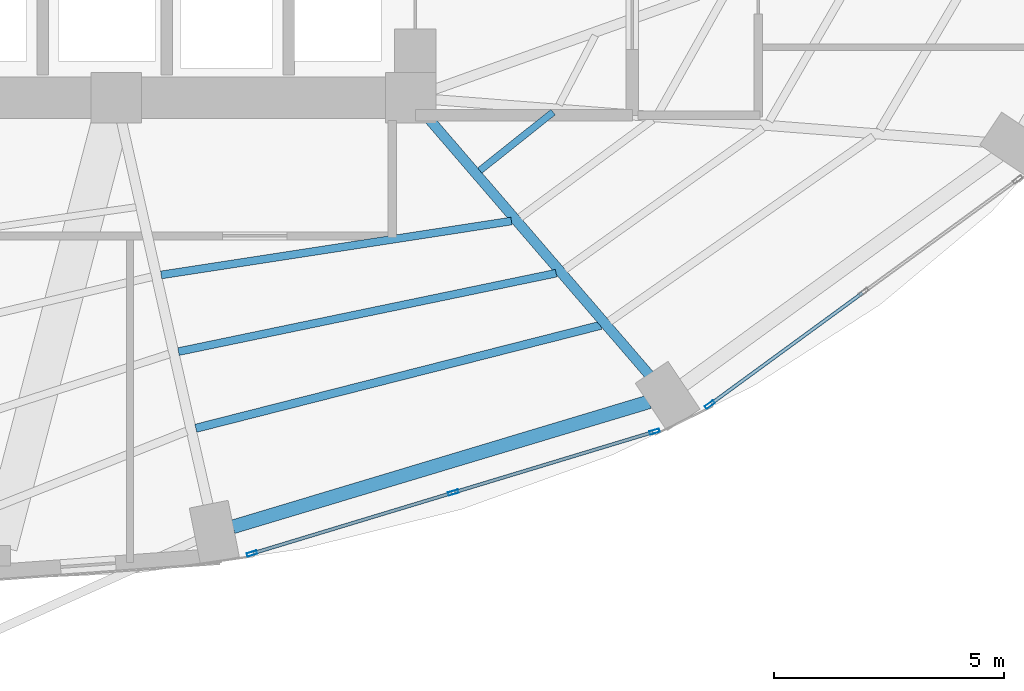
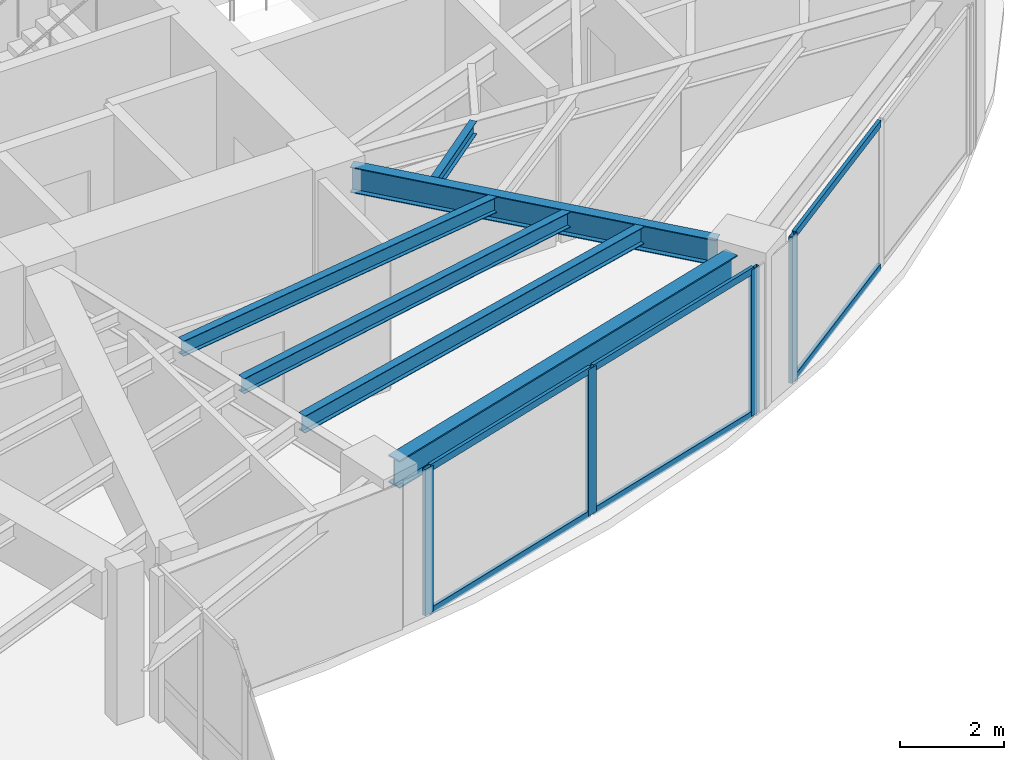
# One storey, part 10 of 25: 10 members, 6 beams, 2 elements without a shape of their own.
"""IFC4 building model written with IfcOpenShell, lengths in metres."""

from ifc_helpers import new_model, si_unit, direction, frame, origin, origin_2d, place, context, subcontext, project, spatial, hollow_rectangle, i_section, extrude, material, layer, layer_set, material_profile, profile_set, type_object, element, aggregate, save


model = new_model("IFC4")

# Units and contexts
model_context = context("Model", 3, precision=1e-05, world=origin(), true_north=direction((0.0, 1.0)))
body_context = subcontext(model_context, "Body", "Model", "MODEL_VIEW")
ifc_project = project(units=[si_unit("LENGTHUNIT", "METRE"), si_unit("AREAUNIT", "SQUARE_METRE"), si_unit("VOLUMEUNIT", "CUBIC_METRE"), si_unit("PLANEANGLEUNIT", "RADIAN"), si_unit("MASSUNIT", "GRAM", prefix="KILO")], contexts=[model_context])

# Site, building, storey
site_placement = place(None, origin())
site = spatial("IfcSite", under=ifc_project, at=site_placement, CompositionType="ELEMENT")
building_placement = place(site_placement, origin())
building = spatial("IfcBuilding", under=site, at=building_placement, Name="Lazwardi Medical Tower", CompositionType="ELEMENT")
storey_placement = place(building_placement, frame((0.0, 0.0, 47.087890625)))
storey = spatial("IfcBuildingStorey", under=building, at=storey_placement, Name="L11", CompositionType="ELEMENT", Elevation=47.087890625)

# Beams
ifc_material_1 = material(Name="Steel S355", Category="steel")
ifc_material_profile_1 = material_profile(ifc_material_1, i_section(OverallWidth=0.300048828125, OverallDepth=0.64990234375, WebThickness=0.01611328125, FlangeThickness=0.031005859375, at=origin_2d()), Name="HEB 650")
ifc_profile_set_1 = profile_set([ifc_material_profile_1], Name="Steel S355")
beam_type_1 = type_object("IfcBeamType", Name="BM-RB-Z1", PredefinedType="BEAM", material=ifc_profile_set_1)
beam_1_placement = place(storey_placement, frame((41.73291015625, 11.076904296875, 3.10302734375), z_axis=(0.957695289269, 0.287784177662, 0.0), x_axis=(-0.287784177662, 0.957695289269, 0.0)))
element("IfcBeam", 1, at=beam_1_placement, inside=storey, type_object=beam_type_1, Name="Ring beam RB-02 B01 L11", PredefinedType="BEAM", context=body_context, shape_type="SweptSolid", body=[
    extrude(i_section(OverallWidth=0.300048828125, OverallDepth=0.64990234375, WebThickness=0.01611328125, FlangeThickness=0.031005859375, at=origin_2d()), origin(), (0.0, 0.0, 1.0), 9.445556640625),
])
ifc_material_profile_2 = material_profile(ifc_material_1, i_section(OverallWidth=0.219970703125, OverallDepth=0.60009765625, WebThickness=0.011962890625, FlangeThickness=0.01904296875, at=origin_2d()), Name="IPE 600")
ifc_profile_set_2 = profile_set([ifc_material_profile_2], Name="Steel S355")
beam_type_2 = type_object("IfcBeamType", Name="BM-RG-W1", PredefinedType="BEAM", material=ifc_profile_set_2)
beam_2_placement = place(storey_placement, frame((50.802490234375, 14.355712890625, 3.128173828125), z_axis=(-0.652368190463, 0.757902199543, 0.0), x_axis=(-0.757902199543, -0.652368190463, 0.0)))
element("IfcBeam", 2, at=beam_2_placement, inside=storey, type_object=beam_type_2, Name="Radial girder RG-02 R02 L11", PredefinedType="BEAM", context=body_context, shape_type="SweptSolid", body=[
    extrude(i_section(OverallWidth=0.219970703125, OverallDepth=0.60009765625, WebThickness=0.011962890625, FlangeThickness=0.01904296875, at=origin_2d()), origin(), (0.0, 0.0, 1.0), 7.43994140625),
])
ifc_material_profile_3 = material_profile(ifc_material_1, i_section(OverallWidth=0.179931640625, OverallDepth=0.39990234375, WebThickness=0.008544921875, FlangeThickness=0.013427734375, at=origin_2d()), Name="IPE 400")
ifc_profile_set_3 = profile_set([ifc_material_profile_3], Name="Steel S355")
beam_type_3 = type_object("IfcBeamType", Name="BM-SJ-01", PredefinedType="JOIST", material=ifc_profile_set_3)
beam_3_placement = place(storey_placement, frame((40.927734375, 13.218994140625, 3.22802734375), z_axis=(0.969151012048, 0.246467677081, 0.0), x_axis=(-0.246467677081, 0.969151012048, 0.0)))
element("IfcBeam", 3, at=beam_3_placement, inside=storey, type_object=beam_type_3, Name="Secondary joist SJ-01 R1 B01 L11", PredefinedType="JOIST", context=body_context, shape_type="SweptSolid", body=[
    extrude(i_section(OverallWidth=0.179931640625, OverallDepth=0.39990234375, WebThickness=0.008544921875, FlangeThickness=0.013427734375, at=origin_2d()), origin(), (0.0, 0.0, 1.0), 9.08251953125),
])
ifc_material_profile_4 = material_profile(ifc_material_1, i_section(OverallWidth=0.169921875, OverallDepth=0.360107421875, WebThickness=0.008056640625, FlangeThickness=0.0126953125, at=origin_2d()), Name="IPE 360")
ifc_profile_set_4 = profile_set([ifc_material_profile_4], Name="Steel S355")
beam_type_4 = type_object("IfcBeamType", Name="BM-SJ-02", PredefinedType="JOIST", material=ifc_profile_set_4)
beam_4_placement = place(storey_placement, frame((40.5517578125, 14.885498046875, 3.248046875), z_axis=(0.979107693723, 0.203342381445, 0.0), x_axis=(-0.203342381445, 0.979107693723, 0.0)))
element("IfcBeam", 4, at=beam_4_placement, inside=storey, type_object=beam_type_4, Name="Secondary joist SJ-02 R2 B01 L11", PredefinedType="JOIST", context=body_context, shape_type="SweptSolid", body=[
    extrude(i_section(OverallWidth=0.169921875, OverallDepth=0.360107421875, WebThickness=0.008056640625, FlangeThickness=0.0126953125, at=origin_2d()), origin(), (0.0, 0.0, 1.0), 8.381591796875),
])
beam_5_placement = place(storey_placement, frame((40.175537109375, 16.551513671875, 3.248046875), z_axis=(0.988362899594, 0.152114360618, 0.0), x_axis=(-0.152114360618, 0.988362899594, 0.0)))
element("IfcBeam", 5, at=beam_5_placement, inside=storey, type_object=beam_type_4, Name="Secondary joist SJ-02 R3 B01 L11", PredefinedType="JOIST", context=body_context, shape_type="SweptSolid", body=[
    extrude(i_section(OverallWidth=0.169921875, OverallDepth=0.360107421875, WebThickness=0.008056640625, FlangeThickness=0.0126953125, at=origin_2d()), origin(), (0.0, 0.0, 1.0), 7.70068359375),
])
ifc_material_profile_5 = material_profile(ifc_material_1, i_section(OverallWidth=0.14990234375, OverallDepth=0.300048828125, WebThickness=0.007080078125, FlangeThickness=0.0107421875, at=origin_2d()), Name="IPE 300")
ifc_profile_set_5 = profile_set([ifc_material_profile_5], Name="Steel S355")
beam_type_5 = type_object("IfcBeamType", Name="BM-SJ-03", PredefinedType="JOIST", material=ifc_profile_set_5)
beam_6_placement = place(storey_placement, frame((47.098876953125, 18.8193359375, 3.278076171875), z_axis=(0.782210957226, 0.623013658274, 0.0), x_axis=(-0.623013658274, 0.782210957226, 0.0)))
element("IfcBeam", 6, at=beam_6_placement, inside=storey, type_object=beam_type_5, Name="Secondary joist SJ-03 R4 B02 L11", PredefinedType="JOIST", context=body_context, shape_type="SweptSolid", body=[
    extrude(i_section(OverallWidth=0.14990234375, OverallDepth=0.300048828125, WebThickness=0.007080078125, FlangeThickness=0.0107421875, at=origin_2d()), origin(), (0.0, 0.0, 1.0), 2.0380859375),
])

# Curtain wall, members
ifc_material_2 = material(Name="Anodised bronze aluminium and solar control glazing", Category="aluminium")
ifc_layer = layer(ifc_material_2, 0.199951171875)
ifc_layer_set = layer_set([ifc_layer], Name="Anodised bronze aluminium and solar control glazing")
curtain_wall_type = type_object("IfcCurtainWallType", Name="CW-SYS-02", PredefinedType="NOTDEFINED", material=ifc_layer_set)
curtain_wall_1_placement = place(storey_placement, origin())
curtain_wall_1 = element("IfcCurtainWall", 7, at=curtain_wall_1_placement, inside=storey, type_object=curtain_wall_type, Name="L11 Unitised bronze curtain wall CW-02", PredefinedType="NOTDEFINED")
ifc_material_3 = material(Name="Anodised bronze aluminium", Category="aluminium")
ifc_material_profile_6 = material_profile(ifc_material_3, hollow_rectangle(XDim=0.074951171875, YDim=0.219970703125, WallThickness=0.00390625, at=origin_2d()), Name="ALU-MULLION 220x75x4")
ifc_profile_set_6 = profile_set([ifc_material_profile_6], Name="Anodised bronze aluminium")
member_type_1 = type_object("IfcMemberType", Name="CW-MUL-01", PredefinedType="MULLION", material=ifc_profile_set_6)
member_1_placement = place(storey_placement, frame((42.14794921875, 10.496337890625, 0.0), z_axis=(0.0, 0.0, 1.0), x_axis=(-0.2898956909, 0.957058247129, 0.0)))
member_1 = element("IfcMember", 8, at=member_1_placement, type_object=member_type_1, Name="CW-02 mullion 1", PredefinedType="MULLION", context=body_context, shape_type="SweptSolid", body=[
    extrude(hollow_rectangle(XDim=0.074951171875, YDim=0.219970703125, WallThickness=0.00390625, at=origin_2d()), origin(), (0.0, 0.0, 1.0), 3.42822265625),
])
member_2_placement = place(storey_placement, frame((46.523193359375, 11.821533203125, 0.0), z_axis=(0.0, 0.0, 1.0), x_axis=(-0.2898956909, 0.957058247129, 0.0)))
member_2 = element("IfcMember", 9, at=member_2_placement, type_object=member_type_1, Name="CW-02 mullion 2", PredefinedType="MULLION", context=body_context, shape_type="SweptSolid", body=[
    extrude(hollow_rectangle(XDim=0.074951171875, YDim=0.219970703125, WallThickness=0.00390625, at=origin_2d()), origin(), (0.0, 0.0, 1.0), 3.42822265625),
])
member_3_placement = place(storey_placement, frame((50.8984375, 13.146728515625, 0.0), z_axis=(0.0, 0.0, 1.0), x_axis=(-0.2898956909, 0.957058247129, 0.0)))
member_3 = element("IfcMember", 10, at=member_3_placement, type_object=member_type_1, Name="CW-02 mullion 3", PredefinedType="MULLION", context=body_context, shape_type="SweptSolid", body=[
    extrude(hollow_rectangle(XDim=0.074951171875, YDim=0.219970703125, WallThickness=0.00390625, at=origin_2d()), origin(), (0.0, 0.0, 1.0), 3.42822265625),
])

# Curtain wall, member
curtain_wall_2_placement = place(storey_placement, origin())
curtain_wall_2 = element("IfcCurtainWall", 11, at=curtain_wall_2_placement, inside=storey, type_object=curtain_wall_type, Name="L11 Unitised bronze curtain wall CW-02", PredefinedType="NOTDEFINED")
member_4_placement = place(storey_placement, frame((52.0986328125, 13.73388671875, 0.0), z_axis=(0.0, 0.0, 1.0), x_axis=(-0.590289307341, 0.807191757663, 0.0)))
member_4 = element("IfcMember", 12, at=member_4_placement, type_object=member_type_1, Name="CW-02 mullion 1", PredefinedType="MULLION", context=body_context, shape_type="SweptSolid", body=[
    extrude(hollow_rectangle(XDim=0.074951171875, YDim=0.219970703125, WallThickness=0.00390625, at=origin_2d()), origin(), (0.0, 0.0, 1.0), 3.42822265625),
])

# Member
ifc_material_profile_7 = material_profile(ifc_material_3, hollow_rectangle(XDim=0.074951171875, YDim=0.159912109375, WallThickness=0.00390625, at=origin_2d()), Name="ALU-TRANSOM 160x75x4")
ifc_profile_set_7 = profile_set([ifc_material_profile_7], Name="Anodised bronze aluminium")
member_type_2 = type_object("IfcMemberType", Name="CW-TRN-01", PredefinedType="USERDEFINED", material=ifc_profile_set_7)
member_5_placement = place(storey_placement, frame((42.183837890625, 10.507080078125, 0.03759765625), z_axis=(0.957047233423, 0.28993204893, 0.0), x_axis=(-0.28993204893, 0.957047233423, 0.0)))
member_5 = element("IfcMember", 13, at=member_5_placement, type_object=member_type_2, Name="CW-02 transom 1.1", ObjectType="TRANSOM", PredefinedType="USERDEFINED", context=body_context, shape_type="SweptSolid", body=[
    extrude(hollow_rectangle(XDim=0.074951171875, YDim=0.159912109375, WallThickness=0.00390625, at=origin_2d()), origin(), (0.0, 0.0, 1.0), 4.49658203125),
])

member_6_placement = place(storey_placement, frame((42.183837890625, 10.507080078125, 3.390625), z_axis=(0.957047233423, 0.28993204893, 0.0), x_axis=(-0.28993204893, 0.957047233423, 0.0)))
member_6 = element("IfcMember", 14, at=member_6_placement, type_object=member_type_2, Name="CW-02 transom 1.2", ObjectType="TRANSOM", PredefinedType="USERDEFINED", context=body_context, shape_type="SweptSolid", body=[
    extrude(hollow_rectangle(XDim=0.074951171875, YDim=0.159912109375, WallThickness=0.00390625, at=origin_2d()), origin(), (0.0, 0.0, 1.0), 4.49658203125),
])

member_7_placement = place(storey_placement, frame((46.55908203125, 11.83251953125, 0.03759765625), z_axis=(0.957062297904, 0.289882317383, 0.0), x_axis=(-0.289882317383, 0.957062297904, 0.0)))
member_7 = element("IfcMember", 15, at=member_7_placement, type_object=member_type_2, Name="CW-02 transom 2.1", ObjectType="TRANSOM", PredefinedType="USERDEFINED", context=body_context, shape_type="SweptSolid", body=[
    extrude(hollow_rectangle(XDim=0.074951171875, YDim=0.159912109375, WallThickness=0.00390625, at=origin_2d()), origin(), (0.0, 0.0, 1.0), 4.49658203125),
])

member_8_placement = place(storey_placement, frame((46.55908203125, 11.83251953125, 3.390625), z_axis=(0.957062297904, 0.289882317383, 0.0), x_axis=(-0.289882317383, 0.957062297904, 0.0)))
member_8 = element("IfcMember", 16, at=member_8_placement, type_object=member_type_2, Name="CW-02 transom 2.2", ObjectType="TRANSOM", PredefinedType="USERDEFINED", context=body_context, shape_type="SweptSolid", body=[
    extrude(hollow_rectangle(XDim=0.074951171875, YDim=0.159912109375, WallThickness=0.00390625, at=origin_2d()), origin(), (0.0, 0.0, 1.0), 4.49658203125),
])

aggregate(curtain_wall_1, [member_1, member_2, member_3, member_5, member_6, member_7, member_8])

member_9_placement = place(storey_placement, frame((52.12890625, 13.756103515625, 0.03759765625), z_axis=(0.807197636578, 0.590281268128, 0.0), x_axis=(-0.590281268128, 0.807197636578, 0.0)))
member_9 = element("IfcMember", 17, at=member_9_placement, type_object=member_type_2, Name="CW-02 transom 1.1", ObjectType="TRANSOM", PredefinedType="USERDEFINED", context=body_context, shape_type="SweptSolid", body=[
    extrude(hollow_rectangle(XDim=0.074951171875, YDim=0.159912109375, WallThickness=0.00390625, at=origin_2d()), origin(), (0.0, 0.0, 1.0), 4.06982421875),
])

member_10_placement = place(storey_placement, frame((52.12890625, 13.756103515625, 3.390625), z_axis=(0.807197636578, 0.590281268128, 0.0), x_axis=(-0.590281268128, 0.807197636578, 0.0)))
member_10 = element("IfcMember", 18, at=member_10_placement, type_object=member_type_2, Name="CW-02 transom 1.2", ObjectType="TRANSOM", PredefinedType="USERDEFINED", context=body_context, shape_type="SweptSolid", body=[
    extrude(hollow_rectangle(XDim=0.074951171875, YDim=0.159912109375, WallThickness=0.00390625, at=origin_2d()), origin(), (0.0, 0.0, 1.0), 4.06982421875),
])

aggregate(curtain_wall_2, [member_4, member_9, member_10])

save(model, "model.ifc")
